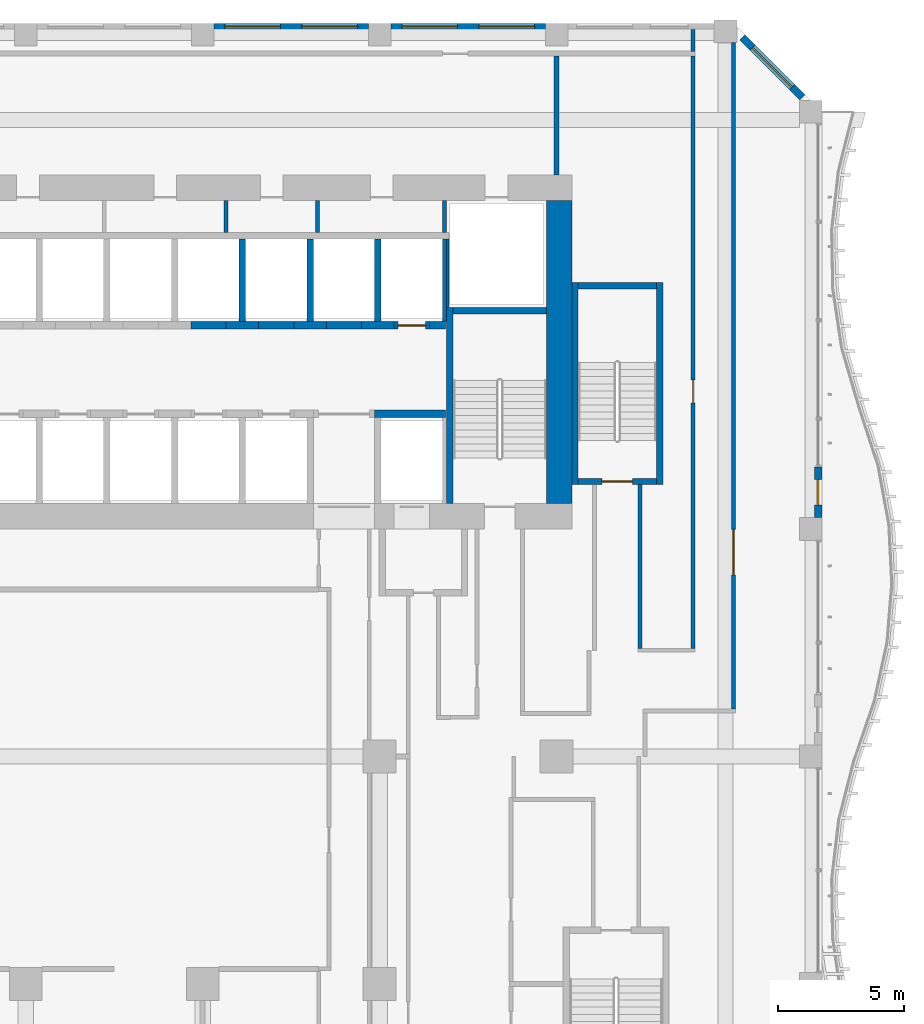
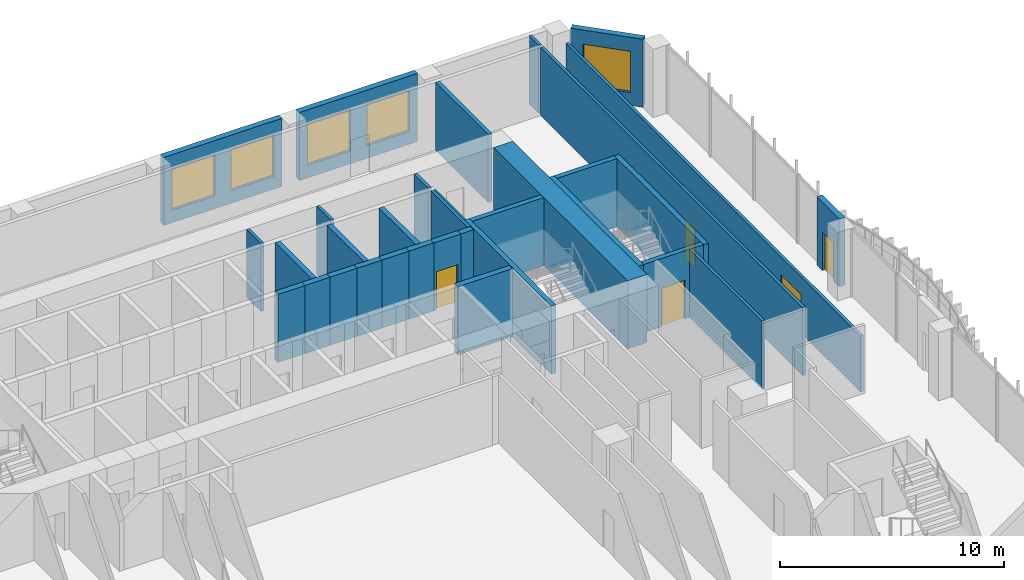
# One storey, part 15 of 27: 33 walls, 5 doors, 5 windows, 10 openings.
"""IFC4 building model written with IfcOpenShell, lengths in metres."""

from ifc_helpers import new_model, si_unit, direction, frame, frame_2d, origin, place, context, subcontext, project, spatial, rectangle, extrude, source, transform, mapped, material, layer, layer_set, type_object, element, fill, save


model = new_model("IFC4")

# Units and contexts
model_context = context("Model", 3, precision=1e-05, world=origin(), true_north=direction((0.0, 1.0)))
body_context = subcontext(model_context, "Body", "Model", "MODEL_VIEW")
ifc_project = project(units=[si_unit("LENGTHUNIT", "METRE"), si_unit("AREAUNIT", "SQUARE_METRE"), si_unit("VOLUMEUNIT", "CUBIC_METRE"), si_unit("PLANEANGLEUNIT", "RADIAN"), si_unit("MASSUNIT", "GRAM", prefix="KILO")], contexts=[model_context])

# Site, building, storey
site_placement = place(None, origin())
site = spatial("IfcSite", under=ifc_project, at=site_placement, CompositionType="ELEMENT")
building_placement = place(site_placement, origin())
building = spatial("IfcBuilding", under=site, at=building_placement, Name="Kilnfold Tower and Market Hall", CompositionType="ELEMENT")
storey_placement = place(building_placement, frame((0.0, 0.0, 47.0)))
storey = spatial("IfcBuildingStorey", under=building, at=storey_placement, Name="L10", CompositionType="ELEMENT", Elevation=47.0)

# Wall
ifc_material_1 = material(Name="Gypsum board on steel studs", Category="steel")
ifc_layer_1 = layer(ifc_material_1, 0.14990234375)
ifc_layer_set_1 = layer_set([ifc_layer_1], Name="Gypsum board on steel studs")
wall_type_1 = type_object("IfcWallType", Name="WALL CORRIDOR 150", PredefinedType="PARTITIONING", material=ifc_layer_set_1)
wall_1_placement = place(storey_placement, frame((20.800048828125, 3.27490234375, 0.0), z_axis=(0.0, 0.0, 1.0), x_axis=(0.0, 1.0, 0.0)))
element("IfcWall", 1, at=wall_1_placement, inside=storey, type_object=wall_type_1, Name="Partition LY09.27", PredefinedType="PARTITIONING", context=body_context, shape_type="SweptSolid", body=[
    extrude(rectangle(XDim=6.47509765625, YDim=0.14990234375, at=frame_2d((3.237548828125, 0.0))), origin(), (0.0, 0.0, 1.0), 3.719970703125),
])

# Wall, opening, door
wall_2_placement = place(storey_placement, frame((22.89990234375, 3.27490234375, 0.0), z_axis=(0.0, 0.0, 1.0), x_axis=(0.0, 1.0, 0.0)))
wall_2 = element("IfcWall", 2, at=wall_2_placement, inside=storey, type_object=wall_type_1, Name="Partition LY09.29", PredefinedType="PARTITIONING", context=body_context, shape_type="SweptSolid", body=[
    extrude(rectangle(XDim=23.43505859375, YDim=0.14990234375, at=frame_2d((11.717529296875, 0.0))), origin(), (0.0, 0.0, 1.0), 3.719970703125),
])
opening_1_placement = place(wall_2_placement, frame((9.715087890625, 0.0, 0.0)))
opening_1 = element("IfcOpeningElement", 3, at=opening_1_placement, cuts=wall_2, Name="Opening D2", PredefinedType="OPENING", context=body_context, shape_type="SweptSolid", body=[
    extrude(rectangle(XDim=0.89990234375, YDim=2.10009765625, at=frame_2d((0.449951171875, 1.050048828125))), frame((0.0, 0.0849609375, 0.0), z_axis=(0.0, -1.0, 0.0), x_axis=(1.0, 0.0, 0.0)), (0.0, 0.0, 1.0), 0.169921875),
])
ifc_material_2 = material(Name="Timber veneer door leaf in steel frame", Category="steel")
door_type_1 = type_object("IfcDoorType", Name="DOOR ROOM 900 X2100", OperationType="NOTDEFINED", PredefinedType="DOOR", material=ifc_material_2)
door_1_placement = place(opening_1_placement, origin())
door_1 = element("IfcDoor", 4, at=door_1_placement, inside=storey, type_object=door_type_1, Name="Door D2", OperationType="SINGLE_SWING_LEFT", OverallHeight=2.10009765625, OverallWidth=0.89990234375, PredefinedType="DOOR", context=body_context, shape_type="SweptSolid", body=[
    extrude(rectangle(XDim=0.89990234375, YDim=2.10009765625, at=frame_2d((0.449951171875, 1.050048828125))), frame((0.0, 0.02490234375, 0.0), z_axis=(0.0, -1.0, 0.0), x_axis=(1.0, 0.0, 0.0)), (0.0, 0.0, 1.0), 0.050048828125),
])
fill(opening_1, door_1)

wall_3_placement = place(storey_placement, frame((24.5, 0.875, 0.0), z_axis=(0.0, 0.0, 1.0), x_axis=(0.0, 1.0, 0.0)))
wall_3 = element("IfcWall", 5, at=wall_3_placement, inside=storey, type_object=wall_type_1, Name="Partition LY09.48", PredefinedType="PARTITIONING", context=body_context, shape_type="SweptSolid", body=[
    extrude(rectangle(XDim=26.35693359375, YDim=0.14990234375, at=frame_2d((13.178466796875, 0.0))), origin(), (0.0, 0.0, 1.0), 3.070068359375),
])
opening_2_placement = place(wall_3_placement, frame((5.31201171875, 0.0, 0.0)))
opening_2 = element("IfcOpeningElement", 6, at=opening_2_placement, cuts=wall_3, Name="Opening D5", PredefinedType="OPENING", context=body_context, shape_type="SweptSolid", body=[
    extrude(rectangle(XDim=1.800048828125, YDim=2.10009765625, at=frame_2d((0.89990234375, 1.050048828125))), frame((0.0, 0.0849609375, 0.0), z_axis=(0.0, -1.0, 0.0), x_axis=(1.0, 0.0, 0.0)), (0.0, 0.0, 1.0), 0.169921875),
])
ifc_material_3 = material(Name="Timber veneer door leaf in steel frame", Category="steel")
door_type_2 = type_object("IfcDoorType", Name="DOOR DOUBLE 1800 X2100", OperationType="NOTDEFINED", PredefinedType="DOOR", material=ifc_material_3)
door_2_placement = place(opening_2_placement, origin())
door_2 = element("IfcDoor", 7, at=door_2_placement, inside=storey, type_object=door_type_2, Name="Door D5", OperationType="DOUBLE_DOOR_SINGLE_SWING", OverallHeight=2.10009765625, OverallWidth=1.800048828125, PredefinedType="DOOR", context=body_context, shape_type="SweptSolid", body=[
    extrude(rectangle(XDim=1.800048828125, YDim=2.10009765625, at=frame_2d((0.89990234375, 1.050048828125))), frame((0.0, 0.02490234375, 0.0), z_axis=(0.0, -1.0, 0.0), x_axis=(1.0, 0.0, 0.0)), (0.0, 0.0, 1.0), 0.050048828125),
])
fill(opening_2, door_2)

# Walls
wall_4_placement = place(storey_placement, frame((22.89990234375, 26.89111328125, 0.0), z_axis=(0.0, 0.0, 1.0), x_axis=(0.0, 1.0, 0.0)))
element("IfcWall", 8, at=wall_4_placement, inside=storey, type_object=wall_type_1, Name="Partition LY09.54", PredefinedType="PARTITIONING", context=body_context, shape_type="SweptSolid", body=[
    extrude(rectangle(XDim=0.85888671875, YDim=0.14990234375, at=frame_2d((0.429443359375, 0.0))), origin(), (0.0, 0.0, 1.0), 3.719970703125),
])
ifc_material_4 = material(Name="Gypsum board on steel studs", Category="steel")
ifc_layer_2 = layer(ifc_material_4, 0.199951171875)
ifc_layer_set_2 = layer_set([ifc_layer_2], Name="Gypsum board on steel studs")
wall_type_2 = type_object("IfcWallType", Name="WALL PARTY 200", PredefinedType="PARTITIONING", material=ifc_layer_set_2)
wall_5_placement = place(storey_placement, frame((17.5, 22.0, 0.0), z_axis=(0.0, 0.0, 1.0), x_axis=(0.0, 1.0, 0.0)))
element("IfcWall", 9, at=wall_5_placement, inside=storey, type_object=wall_type_2, Name="Partition LY09.58", PredefinedType="PARTITIONING", context=body_context, shape_type="SweptSolid", body=[
    extrude(rectangle(XDim=4.699951171875, YDim=0.199951171875, at=frame_2d((2.35009765625, 0.0))), origin(), (0.0, 0.0, 1.0), 3.719970703125),
])
ifc_material_5 = material(Name="Concrete C80", Category="concrete")
ifc_layer_3 = layer(ifc_material_5, 1.0)
ifc_layer_set_3 = layer_set([ifc_layer_3], Name="Concrete C80")
wall_type_3 = type_object("IfcWallType", Name="CORE WALL 1000 C80", PredefinedType="SHEAR", material=ifc_layer_set_3)
shared_shape_1 = source(origin(), body_context, "Body", "SweptSolid", [
    extrude(rectangle(XDim=12.0, YDim=1.0, at=frame_2d((6.0, 0.0))), origin(), (0.0, 0.0, 1.0), 3.719970703125),
])
wall_6_placement = place(storey_placement, frame((17.60009765625, 9.0, 0.0), z_axis=(0.0, 0.0, 1.0), x_axis=(0.0, 1.0, 0.0)))
element("IfcWall", 10, at=wall_6_placement, inside=storey, type_object=wall_type_3, Name="Core outer wall east", PredefinedType="SHEAR", context=body_context, shape_type="MappedRepresentation", body=[
    mapped(shared_shape_1, transform((0.0, 0.0, 0.0))),
])
ifc_material_6 = material(Name="Concrete C80", Category="concrete")
ifc_layer_4 = layer(ifc_material_6, 0.25)
ifc_layer_set_4 = layer_set([ifc_layer_4], Name="Concrete C80")
wall_type_4 = type_object("IfcWallType", Name="CORE WALL 250 C80", PredefinedType="SHEAR", material=ifc_layer_set_4)
shared_shape_2 = source(origin(), body_context, "Body", "SweptSolid", [
    extrude(rectangle(XDim=7.75, YDim=0.25, at=frame_2d((3.875, 0.0))), origin(), (0.0, 0.0, 1.0), 3.719970703125),
])
wall_7_placement = place(storey_placement, frame((13.27490234375, 9.0, 0.0), z_axis=(0.0, 0.0, 1.0), x_axis=(0.0, 1.0, 0.0)))
element("IfcWall", 11, at=wall_7_placement, inside=storey, type_object=wall_type_4, Name="Stair enclosure ST2", PredefinedType="SHEAR", context=body_context, shape_type="MappedRepresentation", body=[
    mapped(shared_shape_2, transform((0.0, 0.0, 0.0))),
])
shared_shape_3 = source(origin(), body_context, "Body", "SweptSolid", [
    extrude(rectangle(XDim=3.7001953125, YDim=0.25, at=frame_2d((1.85009765625, 0.0))), origin(), (0.0, 0.0, 1.0), 3.719970703125),
])
wall_8_placement = place(storey_placement, frame((13.39990234375, 16.625, 0.0), z_axis=(0.0, 0.0, 1.0), x_axis=(1.0, 0.0, 0.0)))
element("IfcWall", 12, at=wall_8_placement, inside=storey, type_object=wall_type_4, Name="Stair enclosure ST2", PredefinedType="SHEAR", context=body_context, shape_type="MappedRepresentation", body=[
    mapped(shared_shape_3, transform((0.0, 0.0, 0.0))),
])
shared_shape_4 = source(origin(), body_context, "Body", "SweptSolid", [
    extrude(rectangle(XDim=8.0, YDim=0.25, at=frame_2d((4.0, 0.0))), origin(), (0.0, 0.0, 1.0), 3.719970703125),
])
for number, where, z_axis, x_axis, name in (
    (13, (18.22509765625, 9.75, 0.0), (0.0, 0.0, 1.0), (0.0, 1.0, 0.0), "Stair enclosure ST5"),
    (14, (21.574951171875, 9.75, 0.0), (0.0, 0.0, 1.0), (0.0, 1.0, 0.0), "Stair enclosure ST5"),
):
    element("IfcWall", number, at=place(storey_placement, frame(where, z_axis=z_axis, x_axis=x_axis)), inside=storey, type_object=wall_type_4, Name=name, PredefinedType="SHEAR", context=body_context, shape_type="MappedRepresentation", body=[
        mapped(shared_shape_4, transform((0.0, 0.0, 0.0))),
    ])

# Wall, opening, door
shared_shape_5 = source(origin(), body_context, "Body", "SweptSolid", [
    extrude(rectangle(XDim=3.099853515625, YDim=0.25, at=frame_2d((1.5498046875, 0.0))), origin(), (0.0, 0.0, 1.0), 3.719970703125),
])
wall_9_placement = place(storey_placement, frame((18.35009765625, 9.875, 0.0), z_axis=(0.0, 0.0, 1.0), x_axis=(1.0, 0.0, 0.0)))
wall_9 = element("IfcWall", 15, at=wall_9_placement, inside=storey, type_object=wall_type_4, Name="Stair enclosure ST5", PredefinedType="SHEAR", context=body_context, shape_type="MappedRepresentation", body=[
    mapped(shared_shape_5, transform((0.0, 0.0, 0.0))),
])
opening_3_placement = place(wall_9_placement, frame((0.949951171875, 0.0, 0.0)))
opening_3 = element("IfcOpeningElement", 16, at=opening_3_placement, cuts=wall_9, Name="Opening SD1", PredefinedType="OPENING", context=body_context, shape_type="SweptSolid", body=[
    extrude(rectangle(XDim=1.199951171875, YDim=2.10009765625, at=frame_2d((0.60009765625, 1.050048828125))), frame((0.0, 0.135009765625, 0.0), z_axis=(0.0, -1.0, 0.0), x_axis=(1.0, 0.0, 0.0)), (0.0, 0.0, 1.0), 0.27001953125),
])
ifc_material_7 = material(Name="Steel door set with fire-resisting leaf", Category="steel")
door_type_3 = type_object("IfcDoorType", Name="STAIR FLOOR DOOR 1200X2100", OperationType="NOTDEFINED", PredefinedType="DOOR", material=ifc_material_7)
door_3_placement = place(opening_3_placement, origin())
door_3 = element("IfcDoor", 17, at=door_3_placement, inside=storey, type_object=door_type_3, Name="Exit stair ST5 door", OperationType="DOUBLE_DOOR_SINGLE_SWING", OverallHeight=2.10009765625, OverallWidth=1.199951171875, PredefinedType="DOOR", context=body_context, shape_type="SweptSolid", body=[
    extrude(rectangle(XDim=1.199951171875, YDim=2.10009765625, at=frame_2d((0.60009765625, 1.050048828125))), frame((0.0, 0.02490234375, 0.0), z_axis=(0.0, -1.0, 0.0), x_axis=(1.0, 0.0, 0.0)), (0.0, 0.0, 1.0), 0.050048828125),
])
fill(opening_3, door_3)

# Walls
wall_10_placement = place(storey_placement, frame((18.35009765625, 17.625, 0.0), z_axis=(0.0, 0.0, 1.0), x_axis=(1.0, 0.0, 0.0)))
element("IfcWall", 18, at=wall_10_placement, inside=storey, type_object=wall_type_4, Name="Stair enclosure ST5", PredefinedType="SHEAR", context=body_context, shape_type="MappedRepresentation", body=[
    mapped(shared_shape_5, transform((0.0, 0.0, 0.0))),
])
ifc_material_8 = material(Name="Concrete C80", Category="concrete")
ifc_layer_5 = layer(ifc_material_8, 0.300048828125)
ifc_layer_set_5 = layer_set([ifc_layer_5], Name="Concrete C80")
wall_type_5 = type_object("IfcWallType", Name="CORE WALL 300 C80", PredefinedType="SHEAR", material=ifc_layer_set_5)
shared_shape_6 = source(origin(), body_context, "Body", "SweptSolid", [
    extrude(rectangle(XDim=1.280029296875, YDim=0.300048828125, at=frame_2d((0.64013671875, 0.0))), origin(), (0.0, 0.0, 1.0), 3.719970703125),
])
for number, where, z_axis, x_axis, name in (
    (19, (4.429931640625, 16.050048828125, 0.0), (0.0, 0.0, 1.0), (1.0, 0.0, 0.0), "Core spine wall"),
    (20, (9.7900390625, 16.050048828125, 0.0), (0.0, 0.0, 1.0), (1.0, 0.0, 0.0), "Core spine wall"),
):
    element("IfcWall", number, at=place(storey_placement, frame(where, z_axis=z_axis, x_axis=x_axis)), inside=storey, type_object=wall_type_5, Name=name, PredefinedType="SHEAR", context=body_context, shape_type="MappedRepresentation", body=[
        mapped(shared_shape_6, transform((0.0, 0.0, 0.0))),
    ])
shared_shape_7 = source(origin(), body_context, "Body", "SweptSolid", [
    extrude(rectangle(XDim=2.820068359375, YDim=0.300048828125, at=frame_2d((1.41015625, 0.0))), origin(), (0.0, 0.0, 1.0), 3.719970703125),
])
wall_11_placement = place(storey_placement, frame((10.2900390625, 12.550048828125, 0.0), z_axis=(0.0, 0.0, 1.0), x_axis=(1.0, 0.0, 0.0)))
element("IfcWall", 21, at=wall_11_placement, inside=storey, type_object=wall_type_5, Name="Core spine wall", PredefinedType="SHEAR", context=body_context, shape_type="MappedRepresentation", body=[
    mapped(shared_shape_7, transform((0.0, 0.0, 0.0))),
])
shared_shape_8 = source(origin(), body_context, "Body", "SweptSolid", [
    extrude(rectangle(XDim=1.27978515625, YDim=0.300048828125, at=frame_2d((0.639892578125, 0.0))), origin(), (0.0, 0.0, 1.0), 3.719970703125),
])
wall_12_placement = place(storey_placement, frame((7.110107421875, 16.050048828125, 0.0), z_axis=(0.0, 0.0, 1.0), x_axis=(1.0, 0.0, 0.0)))
element("IfcWall", 22, at=wall_12_placement, inside=storey, type_object=wall_type_5, Name="Core spine wall", PredefinedType="SHEAR", context=body_context, shape_type="MappedRepresentation", body=[
    mapped(shared_shape_8, transform((0.0, 0.0, 0.0))),
])
shared_shape_9 = source(origin(), body_context, "Body", "SweptSolid", [
    extrude(rectangle(XDim=0.64013671875, YDim=0.300048828125, at=frame_2d((0.320068359375, 0.0))), origin(), (0.0, 0.0, 1.0), 3.719970703125),
])
wall_13_placement = place(storey_placement, frame((12.469970703125, 16.050048828125, 0.0), z_axis=(0.0, 0.0, 1.0), x_axis=(1.0, 0.0, 0.0)))
element("IfcWall", 23, at=wall_13_placement, inside=storey, type_object=wall_type_5, Name="Core spine wall", PredefinedType="SHEAR", context=body_context, shape_type="MappedRepresentation", body=[
    mapped(shared_shape_9, transform((0.0, 0.0, 0.0))),
])

# Wall, opening, door
ifc_material_9 = material(Name="Precast concrete C50/60", Category="concrete")
ifc_layer_6 = layer(ifc_material_9, 0.300048828125)
ifc_layer_set_6 = layer_set([ifc_layer_6], Name="Precast concrete C50/60")
wall_type_6 = type_object("IfcWallType", Name="PRECAST WALL 300", PredefinedType="SOLIDWALL", material=ifc_layer_set_6)
shared_shape_10 = source(origin(), body_context, "Body", "SweptSolid", [
    extrude(rectangle(XDim=2.0, YDim=0.300048828125, at=frame_2d((1.0, 0.0))), origin(), (0.0, 0.0, 1.0), 3.719970703125),
])
wall_14_placement = place(storey_placement, frame((27.85009765625, 8.449951171875, 0.0), z_axis=(0.0, 0.0, 1.0), x_axis=(0.0, 1.0, 0.0)))
wall_14 = element("IfcWall", 24, at=wall_14_placement, inside=storey, type_object=wall_type_6, Name="External wall L10 E", PredefinedType="SOLIDWALL", context=body_context, shape_type="MappedRepresentation", body=[
    mapped(shared_shape_10, transform((0.0, 0.0, 0.0))),
])
opening_4_placement = place(wall_14_placement, frame((0.5, 0.0, 0.0)))
opening_4 = element("IfcOpeningElement", 25, at=opening_4_placement, cuts=wall_14, Name="Opening BD1", PredefinedType="OPENING", context=body_context, shape_type="SweptSolid", body=[
    extrude(rectangle(XDim=1.0, YDim=2.10009765625, at=frame_2d((0.5, 1.050048828125))), frame((0.0, 0.16015625, 0.0), z_axis=(0.0, -1.0, 0.0), x_axis=(1.0, 0.0, 0.0)), (0.0, 0.0, 1.0), 0.320068359375),
])
ifc_material_10 = material(Name="Aluminium frame and double glazing", Category="aluminium")
door_type_4 = type_object("IfcDoorType", Name="BALCONY DOOR 1000X2100", OperationType="NOTDEFINED", PredefinedType="DOOR", material=ifc_material_10)
door_4_placement = place(opening_4_placement, origin())
door_4 = element("IfcDoor", 26, at=door_4_placement, inside=storey, type_object=door_type_4, Name="Balcony door BD1 L10 E-1", OperationType="SINGLE_SWING_LEFT", OverallHeight=2.10009765625, OverallWidth=1.0, PredefinedType="DOOR", context=body_context, shape_type="SweptSolid", body=[
    extrude(rectangle(XDim=1.0, YDim=2.10009765625, at=frame_2d((0.5, 1.050048828125))), frame((0.0, 0.02490234375, 0.0), z_axis=(0.0, -1.0, 0.0), x_axis=(1.0, 0.0, 0.0)), (0.0, 0.0, 1.0), 0.050048828125),
])
fill(opening_4, door_4)

# Wall, opening, window
shared_shape_11 = source(origin(), body_context, "Body", "SweptSolid", [
    extrude(rectangle(XDim=3.35888671875, YDim=0.300048828125, at=frame_2d((1.679443359375, 0.0))), origin(), (0.0, 0.0, 1.0), 3.719970703125),
])
wall_15_placement = place(storey_placement, frame((27.218994140625, 25.06884765625, 0.0), z_axis=(0.0, 0.0, 1.0), x_axis=(-0.707070438228, 0.707143122278, 0.0)))
wall_15 = element("IfcWall", 27, at=wall_15_placement, inside=storey, type_object=wall_type_6, Name="External wall L10 NE", PredefinedType="SOLIDWALL", context=body_context, shape_type="MappedRepresentation", body=[
    mapped(shared_shape_11, transform((0.0, 0.0, 0.0))),
])
opening_5_placement = place(wall_15_placement, frame((0.579345703125, 0.0, 0.699951171875)))
opening_5 = element("IfcOpeningElement", 28, at=opening_5_placement, cuts=wall_15, Name="Opening W1", PredefinedType="OPENING", context=body_context, shape_type="SweptSolid", body=[
    extrude(rectangle(XDim=2.199951171875, YDim=2.25, at=frame_2d((1.10009765625, 1.125))), frame((0.0, 0.16015625, 0.0), z_axis=(0.0, -1.0, 0.0), x_axis=(1.0, 0.0, 0.0)), (0.0, 0.0, 1.0), 0.320068359375),
])
ifc_material_11 = material(Name="Aluminium frame and double glazing", Category="aluminium")
window_type = type_object("IfcWindowType", Name="WINDOW W1 2200X2250", PartitioningType="SINGLE_PANEL", PredefinedType="WINDOW", material=ifc_material_11)
window_1_placement = place(opening_5_placement, origin())
window_1 = element("IfcWindow", 29, at=window_1_placement, inside=storey, type_object=window_type, Name="Window W1 L10 NE-1", OverallHeight=2.25, OverallWidth=2.199951171875, PartitioningType="SINGLE_PANEL", PredefinedType="WINDOW", context=body_context, shape_type="SweptSolid", body=[
    extrude(rectangle(XDim=2.199951171875, YDim=2.25, at=frame_2d((1.10009765625, 1.125))), frame((0.0, 0.030029296875, 0.0), z_axis=(0.0, -1.0, 0.0), x_axis=(1.0, 0.0, 0.0)), (0.0, 0.0, 1.0), 0.06005859375),
])
fill(opening_5, window_1)

# Wall, openings, windows
shared_shape_12 = source(origin(), body_context, "Body", "SweptSolid", [
    extrude(rectangle(XDim=6.10009765625, YDim=0.300048828125, at=frame_2d((3.050048828125, 0.0))), origin(), (0.0, 0.0, 1.0), 3.719970703125),
])
wall_16_placement = place(storey_placement, frame((17.050048828125, 27.85009765625, 0.0), z_axis=(0.0, 0.0, 1.0), x_axis=(-1.0, 0.0, 0.0)))
wall_16 = element("IfcWall", 30, at=wall_16_placement, inside=storey, type_object=wall_type_6, Name="External wall L10 N", PredefinedType="SOLIDWALL", context=body_context, shape_type="MappedRepresentation", body=[
    mapped(shared_shape_12, transform((0.0, 0.0, 0.0))),
])
opening_6_placement = place(wall_16_placement, frame((0.425048828125, 0.0, 0.699951171875)))
opening_6 = element("IfcOpeningElement", 31, at=opening_6_placement, cuts=wall_16, Name="Opening W1", PredefinedType="OPENING", context=body_context, shape_type="SweptSolid", body=[
    extrude(rectangle(XDim=2.199951171875, YDim=2.25, at=frame_2d((1.10009765625, 1.125))), frame((0.0, 0.16015625, 0.0), z_axis=(0.0, -1.0, 0.0), x_axis=(1.0, 0.0, 0.0)), (0.0, 0.0, 1.0), 0.320068359375),
])
opening_7_placement = place(wall_16_placement, frame((3.47509765625, 0.0, 0.699951171875)))
opening_7 = element("IfcOpeningElement", 32, at=opening_7_placement, cuts=wall_16, Name="Opening W1", PredefinedType="OPENING", context=body_context, shape_type="SweptSolid", body=[
    extrude(rectangle(XDim=2.199951171875, YDim=2.25, at=frame_2d((1.10009765625, 1.125))), frame((0.0, 0.16015625, 0.0), z_axis=(0.0, -1.0, 0.0), x_axis=(1.0, 0.0, 0.0)), (0.0, 0.0, 1.0), 0.320068359375),
])
window_2_placement = place(opening_6_placement, origin())
window_2 = element("IfcWindow", 33, at=window_2_placement, inside=storey, type_object=window_type, Name="Window W1 L10 N-1", OverallHeight=2.25, OverallWidth=2.199951171875, PartitioningType="SINGLE_PANEL", PredefinedType="WINDOW", context=body_context, shape_type="SweptSolid", body=[
    extrude(rectangle(XDim=2.199951171875, YDim=2.25, at=frame_2d((1.10009765625, 1.125))), frame((0.0, 0.030029296875, 0.0), z_axis=(0.0, -1.0, 0.0), x_axis=(1.0, 0.0, 0.0)), (0.0, 0.0, 1.0), 0.06005859375),
])
fill(opening_6, window_2)
window_3_placement = place(opening_7_placement, origin())
window_3 = element("IfcWindow", 34, at=window_3_placement, inside=storey, type_object=window_type, Name="Window W1 L10 N-2", OverallHeight=2.25, OverallWidth=2.199951171875, PartitioningType="SINGLE_PANEL", PredefinedType="WINDOW", context=body_context, shape_type="SweptSolid", body=[
    extrude(rectangle(XDim=2.199951171875, YDim=2.25, at=frame_2d((1.10009765625, 1.125))), frame((0.0, 0.030029296875, 0.0), z_axis=(0.0, -1.0, 0.0), x_axis=(1.0, 0.0, 0.0)), (0.0, 0.0, 1.0), 0.06005859375),
])
fill(opening_7, window_3)

wall_17_placement = place(storey_placement, frame((10.050048828125, 27.85009765625, 0.0), z_axis=(0.0, 0.0, 1.0), x_axis=(-1.0, 0.0, 0.0)))
wall_17 = element("IfcWall", 35, at=wall_17_placement, inside=storey, type_object=wall_type_6, Name="External wall L10 N", PredefinedType="SOLIDWALL", context=body_context, shape_type="MappedRepresentation", body=[
    mapped(shared_shape_12, transform((0.0, 0.0, 0.0))),
])
opening_8_placement = place(wall_17_placement, frame((0.425048828125, 0.0, 0.699951171875)))
opening_8 = element("IfcOpeningElement", 36, at=opening_8_placement, cuts=wall_17, Name="Opening W1", PredefinedType="OPENING", context=body_context, shape_type="SweptSolid", body=[
    extrude(rectangle(XDim=2.199951171875, YDim=2.25, at=frame_2d((1.10009765625, 1.125))), frame((0.0, 0.16015625, 0.0), z_axis=(0.0, -1.0, 0.0), x_axis=(1.0, 0.0, 0.0)), (0.0, 0.0, 1.0), 0.320068359375),
])
opening_9_placement = place(wall_17_placement, frame((3.47509765625, 0.0, 0.699951171875)))
opening_9 = element("IfcOpeningElement", 37, at=opening_9_placement, cuts=wall_17, Name="Opening W1", PredefinedType="OPENING", context=body_context, shape_type="SweptSolid", body=[
    extrude(rectangle(XDim=2.199951171875, YDim=2.25, at=frame_2d((1.10009765625, 1.125))), frame((0.0, 0.16015625, 0.0), z_axis=(0.0, -1.0, 0.0), x_axis=(1.0, 0.0, 0.0)), (0.0, 0.0, 1.0), 0.320068359375),
])
window_4_placement = place(opening_8_placement, origin())
window_4 = element("IfcWindow", 38, at=window_4_placement, inside=storey, type_object=window_type, Name="Window W1 L10 N-1", OverallHeight=2.25, OverallWidth=2.199951171875, PartitioningType="SINGLE_PANEL", PredefinedType="WINDOW", context=body_context, shape_type="SweptSolid", body=[
    extrude(rectangle(XDim=2.199951171875, YDim=2.25, at=frame_2d((1.10009765625, 1.125))), frame((0.0, 0.030029296875, 0.0), z_axis=(0.0, -1.0, 0.0), x_axis=(1.0, 0.0, 0.0)), (0.0, 0.0, 1.0), 0.06005859375),
])
fill(opening_8, window_4)
window_5_placement = place(opening_9_placement, origin())
window_5 = element("IfcWindow", 39, at=window_5_placement, inside=storey, type_object=window_type, Name="Window W1 L10 N-2", OverallHeight=2.25, OverallWidth=2.199951171875, PartitioningType="SINGLE_PANEL", PredefinedType="WINDOW", context=body_context, shape_type="SweptSolid", body=[
    extrude(rectangle(XDim=2.199951171875, YDim=2.25, at=frame_2d((1.10009765625, 1.125))), frame((0.0, 0.030029296875, 0.0), z_axis=(0.0, -1.0, 0.0), x_axis=(1.0, 0.0, 0.0)), (0.0, 0.0, 1.0), 0.06005859375),
])
fill(opening_9, window_5)

# Wall, opening, door
ifc_material_12 = material(Name="Gypsum shaft wall system")
ifc_layer_7 = layer(ifc_material_12, 0.300048828125)
ifc_layer_set_7 = layer_set([ifc_layer_7], Name="Gypsum shaft wall system")
wall_type_7 = type_object("IfcWallType", Name="SHAFT WALL 300", PredefinedType="PARTITIONING", material=ifc_layer_set_7)
shared_shape_13 = source(origin(), body_context, "Body", "SweptSolid", [
    extrude(rectangle(XDim=1.39990234375, YDim=0.300048828125, at=frame_2d((0.699951171875, 0.0))), origin(), (0.0, 0.0, 1.0), 3.719970703125),
])
wall_18_placement = place(storey_placement, frame((11.070068359375, 16.050048828125, 0.0), z_axis=(0.0, 0.0, 1.0), x_axis=(1.0, 0.0, 0.0)))
wall_18 = element("IfcWall", 40, at=wall_18_placement, inside=storey, type_object=wall_type_7, Name="Lift shaft front wall", PredefinedType="PARTITIONING", context=body_context, shape_type="MappedRepresentation", body=[
    mapped(shared_shape_13, transform((0.0, 0.0, 0.0))),
])
opening_10_placement = place(wall_18_placement, frame((0.14990234375, 0.0, 0.0)))
opening_10 = element("IfcOpeningElement", 41, at=opening_10_placement, cuts=wall_18, Name="Opening LD2", PredefinedType="OPENING", context=body_context, shape_type="SweptSolid", body=[
    extrude(rectangle(XDim=1.10009765625, YDim=2.10009765625, at=frame_2d((0.550048828125, 1.050048828125))), frame((0.0, 0.16015625, 0.0), z_axis=(0.0, -1.0, 0.0), x_axis=(1.0, 0.0, 0.0)), (0.0, 0.0, 1.0), 0.320068359375),
])
ifc_material_13 = material(Name="Steel door set with fire-resisting leaf", Category="steel")
door_type_5 = type_object("IfcDoorType", Name="LANDING DOOR 1100X2100", OperationType="NOTDEFINED", PredefinedType="DOOR", material=ifc_material_13)
door_5_placement = place(opening_10_placement, origin())
door_5 = element("IfcDoor", 42, at=door_5_placement, inside=storey, type_object=door_type_5, Name="Landing door LR6", OperationType="DOUBLE_DOOR_SLIDING", OverallHeight=2.10009765625, OverallWidth=1.10009765625, PredefinedType="DOOR", context=body_context, shape_type="SweptSolid", body=[
    extrude(rectangle(XDim=1.10009765625, YDim=2.10009765625, at=frame_2d((0.550048828125, 1.050048828125))), frame((0.0, 0.02490234375, 0.0), z_axis=(0.0, -1.0, 0.0), x_axis=(1.0, 0.0, 0.0)), (0.0, 0.0, 1.0), 0.050048828125),
])
fill(opening_10, door_5)

# Walls
wall_19_placement = place(storey_placement, frame((3.030029296875, 16.050048828125, 0.0), z_axis=(0.0, 0.0, 1.0), x_axis=(1.0, 0.0, 0.0)))
element("IfcWall", 43, at=wall_19_placement, inside=storey, type_object=wall_type_7, Name="Lift shaft front wall", PredefinedType="PARTITIONING", context=body_context, shape_type="MappedRepresentation", body=[
    mapped(shared_shape_13, transform((0.0, 0.0, 0.0))),
])
shared_shape_14 = source(origin(), body_context, "Body", "SweptSolid", [
    extrude(rectangle(XDim=1.400146484375, YDim=0.300048828125, at=frame_2d((0.7001953125, 0.0))), origin(), (0.0, 0.0, 1.0), 3.719970703125),
])
for number, where, z_axis, x_axis, name in (
    (44, (5.7099609375, 16.050048828125, 0.0), (0.0, 0.0, 1.0), (1.0, 0.0, 0.0), "Lift shaft front wall"),
    (45, (8.389892578125, 16.050048828125, 0.0), (0.0, 0.0, 1.0), (1.0, 0.0, 0.0), "Lift shaft front wall"),
):
    element("IfcWall", number, at=place(storey_placement, frame(where, z_axis=z_axis, x_axis=x_axis)), inside=storey, type_object=wall_type_7, Name=name, PredefinedType="PARTITIONING", context=body_context, shape_type="MappedRepresentation", body=[
        mapped(shared_shape_14, transform((0.0, 0.0, 0.0))),
    ])
ifc_material_14 = material(Name="Gypsum shaft wall system")
ifc_layer_8 = layer(ifc_material_14, 0.1650390625)
ifc_layer_set_8 = layer_set([ifc_layer_8], Name="Gypsum shaft wall system")
wall_type_8 = type_object("IfcWallType", Name="SHAFT WALL 165", PredefinedType="PARTITIONING", material=ifc_layer_set_8)
shared_shape_15 = source(origin(), body_context, "Body", "SweptSolid", [
    extrude(rectangle(XDim=3.275146484375, YDim=0.1650390625, at=frame_2d((1.6376953125, 0.0))), origin(), (0.0, 0.0, 1.0), 3.719970703125),
])
wall_20_placement = place(storey_placement, frame((13.0673828125, 16.199951171875, 0.0), z_axis=(0.0, 0.0, 1.0), x_axis=(0.0, 1.0, 0.0)))
element("IfcWall", 46, at=wall_20_placement, inside=storey, type_object=wall_type_8, Name="Lift shaft wall", PredefinedType="PARTITIONING", context=body_context, shape_type="MappedRepresentation", body=[
    mapped(shared_shape_15, transform((0.0, 0.0, 0.0))),
])
shared_shape_16 = source(origin(), body_context, "Body", "SweptSolid", [
    extrude(rectangle(XDim=1.27490234375, YDim=0.1650390625, at=frame_2d((0.637451171875, 0.0))), origin(), (0.0, 0.0, 1.0), 3.719970703125),
])
wall_21_placement = place(storey_placement, frame((13.0673828125, 19.72509765625, 0.0), z_axis=(0.0, 0.0, 1.0), x_axis=(0.0, 1.0, 0.0)))
element("IfcWall", 47, at=wall_21_placement, inside=storey, type_object=wall_type_8, Name="Lift shaft wall", PredefinedType="PARTITIONING", context=body_context, shape_type="MappedRepresentation", body=[
    mapped(shared_shape_16, transform((0.0, 0.0, 0.0))),
])
ifc_material_15 = material(Name="Gypsum shaft wall system")
ifc_layer_9 = layer(ifc_material_15, 0.25)
ifc_layer_set_9 = layer_set([ifc_layer_9], Name="Gypsum shaft wall system")
wall_type_9 = type_object("IfcWallType", Name="SHAFT WALL 250", PredefinedType="PARTITIONING", material=ifc_layer_set_9)
shared_shape_17 = source(origin(), body_context, "Body", "SweptSolid", [
    extrude(rectangle(XDim=3.275146484375, YDim=0.25, at=frame_2d((1.6376953125, 0.0))), origin(), (0.0, 0.0, 1.0), 3.719970703125),
])
for number, where, z_axis, x_axis, name in (
    (48, (10.429931640625, 16.199951171875, 0.0), (0.0, 0.0, 1.0), (0.0, 1.0, 0.0), "Lift shaft wall"),
    (49, (5.070068359375, 16.199951171875, 0.0), (0.0, 0.0, 1.0), (0.0, 1.0, 0.0), "Lift shaft wall"),
    (50, (7.75, 16.199951171875, 0.0), (0.0, 0.0, 1.0), (0.0, 1.0, 0.0), "Lift shaft wall"),
):
    element("IfcWall", number, at=place(storey_placement, frame(where, z_axis=z_axis, x_axis=x_axis)), inside=storey, type_object=wall_type_9, Name=name, PredefinedType="PARTITIONING", context=body_context, shape_type="MappedRepresentation", body=[
        mapped(shared_shape_17, transform((0.0, 0.0, 0.0))),
    ])
ifc_material_16 = material(Name="Gypsum shaft wall system")
ifc_layer_10 = layer(ifc_material_16, 0.0849609375)
ifc_layer_set_10 = layer_set([ifc_layer_10], Name="Gypsum shaft wall system")
wall_type_10 = type_object("IfcWallType", Name="SHAFT WALL 85", PredefinedType="PARTITIONING", material=ifc_layer_set_10)
shared_shape_18 = source(origin(), body_context, "Body", "SweptSolid", [
    extrude(rectangle(XDim=2.72509765625, YDim=0.0849609375, at=frame_2d((1.362548828125, 0.0))), origin(), (0.0, 0.0, 1.0), 3.719970703125),
])
wall_22_placement = place(storey_placement, frame((13.1923828125, 16.75, 0.0), z_axis=(0.0, 0.0, 1.0), x_axis=(0.0, 1.0, 0.0)))
element("IfcWall", 51, at=wall_22_placement, inside=storey, type_object=wall_type_10, Name="Lift shaft wall", PredefinedType="PARTITIONING", context=body_context, shape_type="MappedRepresentation", body=[
    mapped(shared_shape_18, transform((0.0, 0.0, 0.0))),
])
ifc_material_17 = material(Name="Gypsum shaft wall system")
ifc_layer_11 = layer(ifc_material_17, 0.14990234375)
ifc_layer_set_11 = layer_set([ifc_layer_11], Name="Gypsum shaft wall system")
wall_type_11 = type_object("IfcWallType", Name="ROOM WALL 150", PredefinedType="PARTITIONING", material=ifc_layer_set_11)
shared_shape_19 = source(origin(), body_context, "Body", "SweptSolid", [
    extrude(rectangle(XDim=1.27490234375, YDim=0.14990234375, at=frame_2d((0.637451171875, 0.0))), origin(), (0.0, 0.0, 1.0), 3.719970703125),
])
for number, where, z_axis, x_axis, name in (
    (52, (4.4267578125, 19.72509765625, 0.0), (0.0, 0.0, 1.0), (0.0, 1.0, 0.0), "Core room wall"),
    (53, (8.044921875, 19.72509765625, 0.0), (0.0, 0.0, 1.0), (0.0, 1.0, 0.0), "Core room wall"),
):
    element("IfcWall", number, at=place(storey_placement, frame(where, z_axis=z_axis, x_axis=x_axis)), inside=storey, type_object=wall_type_11, Name=name, PredefinedType="PARTITIONING", context=body_context, shape_type="MappedRepresentation", body=[
        mapped(shared_shape_19, transform((0.0, 0.0, 0.0))),
    ])

save(model, "model.ifc")
